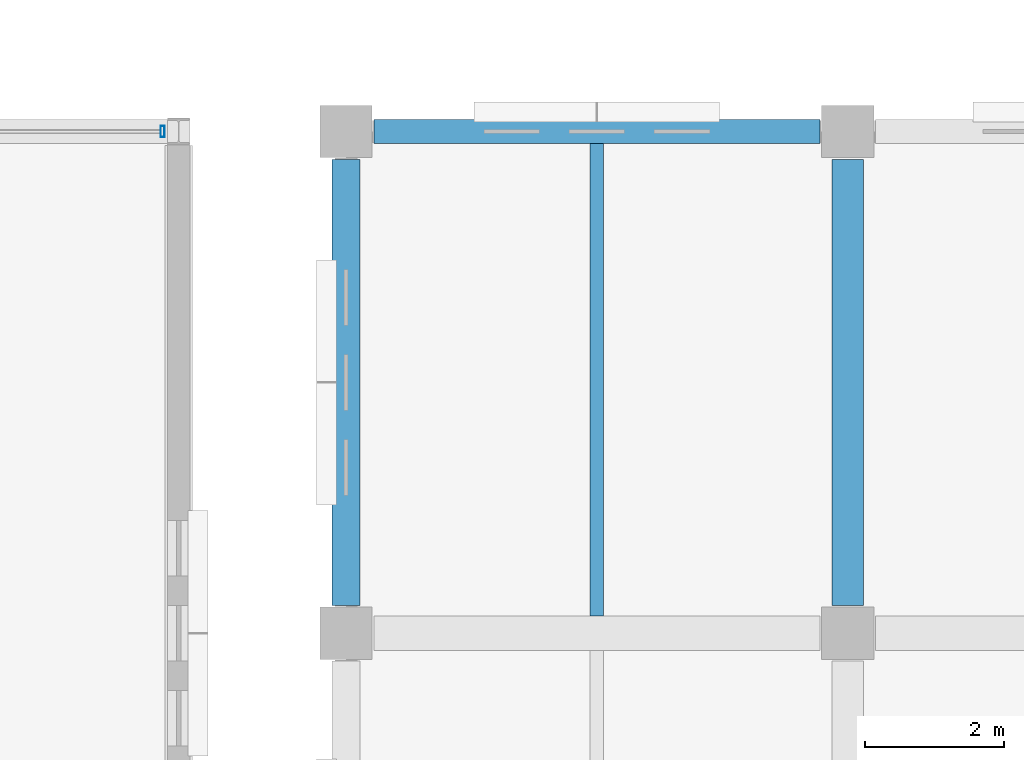
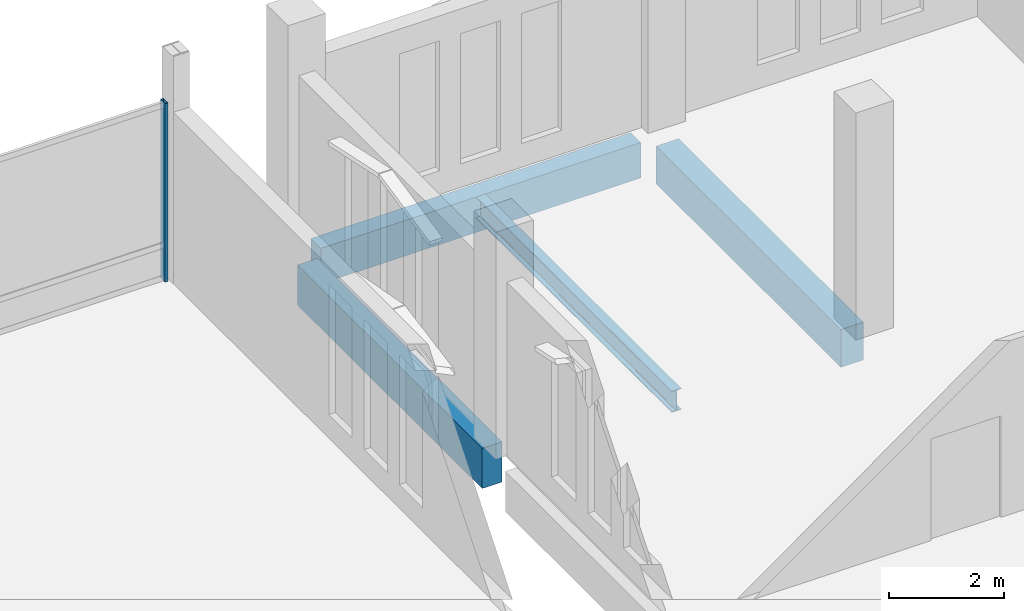
# One storey, part 62 of 193: 4 beams, 1 member, 1 element without a shape of its own.
"""IFC4 building model written with IfcOpenShell, lengths in metres."""

import ifcopenshell
import ifcopenshell.guid

model = None  # the IFC model being written
_history = None  # IfcOwnerHistory: only IFC2X3 demands one
_inside = {}  # id of a spatial element -> (the spatial element, [elements in it])
_under = {}  # id of a project, library or spatial element -> (it, [spatial elements below it])
_declared = {}  # id of a project -> (the project, [libraries it declares])
_typed = {}  # id of a type object -> (the type object, [elements of that type])
_made_of = {}  # id of a material, layer set ... -> (it, [elements and type objects made of it])


def new_model(schema):
    """Start an empty IFC model of exactly this schema.

    Asked for "IFC4X3", IfcOpenShell would pick the latest addendum, in which some entities
    have other attributes; the version numbers below select the first issue.
    IFC2X3 requires an IfcOwnerHistory on every rooted entity: one is made here for all.
    """
    global model, _history
    if schema == "IFC4X3":
        model = ifcopenshell.file(schema_version=(4, 3, 0, 0))
    else:
        model = ifcopenshell.file(schema=schema)
    _inside.clear()
    _under.clear()
    _declared.clear()
    _typed.clear()
    _made_of.clear()
    _history = None
    if model.schema == "IFC2X3":
        org = make("IfcOrganization", Name="unknown")
        user = make(
            "IfcPersonAndOrganization",
            ThePerson=make("IfcPerson", FamilyName="unknown"),
            TheOrganization=org,
        )
        app = make(
            "IfcApplication",
            ApplicationDeveloper=org,
            Version="unknown",
            ApplicationFullName="unknown",
            ApplicationIdentifier="unknown",
        )
        _history = make(
            "IfcOwnerHistory",
            OwningUser=user,
            OwningApplication=app,
            ChangeAction="ADDED",
            CreationDate=0,
        )
    return model


def make(cls, **values):
    """One entity of the class cls with the attributes given. An attribute that is None is left unset."""
    return model.create_entity(
        cls, **{name: value for name, value in values.items() if value is not None}
    )


def rooted(cls, **values):
    """An entity with a GlobalId (a new one), such as an element, a storey or a relation."""
    return make(cls, GlobalId=ifcopenshell.guid.new(), OwnerHistory=_history, **values)


def si_unit(unit_type, name, prefix=None):
    """IfcSIUnit, for example si_unit("LENGTHUNIT", "METRE", prefix="MILLI")."""
    return make("IfcSIUnit", UnitType=unit_type, Prefix=prefix, Name=name)


def assignment(units):
    """IfcUnitAssignment: the units of a project."""
    return None if units is None else make("IfcUnitAssignment", Units=units)


def point(xyz):
    """IfcCartesianPoint."""
    return None if xyz is None else make("IfcCartesianPoint", Coordinates=xyz)


def direction(xyz):
    """IfcDirection."""
    return None if xyz is None else make("IfcDirection", DirectionRatios=xyz)


def frame(location, z_axis=None, x_axis=None):
    """IfcAxis2Placement3D, a coordinate frame: its origin and axes. An axis left out is left unset."""
    return make(
        "IfcAxis2Placement3D",
        Location=point(location),
        Axis=direction(z_axis),
        RefDirection=direction(x_axis),
    )


def frame_2d(location, x_axis=None):
    """IfcAxis2Placement2D, a coordinate frame in the plane: its origin and x axis."""
    return make(
        "IfcAxis2Placement2D", Location=point(location), RefDirection=direction(x_axis)
    )


def origin():
    """The frame at (0, 0, 0) with its axes left unset."""
    return frame((0.0, 0.0, 0.0))


def origin_2d():
    """The frame at (0, 0) in the plane with its x axis left unset."""
    return frame_2d((0.0, 0.0))


def place(relative_to, where):
    """IfcLocalPlacement: puts the frame where relative to a parent placement (None: the world)."""
    return make(
        "IfcLocalPlacement", PlacementRelTo=relative_to, RelativePlacement=where
    )


def context(
    kind, dimensions, precision=None, world=None, true_north=None, identifier=None
):
    """IfcGeometricRepresentationContext, for example the 3D "Model" context."""
    return make(
        "IfcGeometricRepresentationContext",
        ContextIdentifier=identifier,
        ContextType=kind,
        CoordinateSpaceDimension=dimensions,
        Precision=precision,
        WorldCoordinateSystem=world,
        TrueNorth=true_north,
    )


def subcontext(parent, identifier, kind, view, scale=None):
    """IfcGeometricRepresentationSubContext, for example "Body" below "Model"."""
    return make(
        "IfcGeometricRepresentationSubContext",
        ContextIdentifier=identifier,
        ContextType=kind,
        ParentContext=parent,
        TargetScale=scale,
        TargetView=view,
    )


def project(units=None, contexts=None):
    """IfcProject with its units and contexts."""
    return rooted(
        "IfcProject",
        Name="project",
        RepresentationContexts=contexts,
        UnitsInContext=assignment(units),
    )


def spatial(cls, under=None, at=None, **own):
    """A site, building, storey or space (cls), placed at a placement, below another one or the project."""
    s = rooted(cls, ObjectPlacement=at, **own)
    if under is not None:
        _under.setdefault(under.id(), (under, []))[1].append(s)
    return s


def profile(cls, at=None, kind="AREA", **sizes):
    """A parametric profile (cls). Its sizes go by their IFC names, for example OverallWidth=200.0."""
    return make(cls, ProfileType=kind, Position=at, **sizes)


def rectangle(**sizes):
    """IfcRectangleProfileDef."""
    return profile("IfcRectangleProfileDef", **sizes)


def hollow_rectangle(**sizes):
    """IfcRectangleHollowProfileDef."""
    return profile("IfcRectangleHollowProfileDef", **sizes)


def i_section(**sizes):
    """IfcIShapeProfileDef."""
    return profile("IfcIShapeProfileDef", **sizes)


def extrude(swept, where, along, depth):
    """IfcExtrudedAreaSolid: the profile swept, set in the frame where, extruded along a direction by depth."""
    return make(
        "IfcExtrudedAreaSolid",
        SweptArea=swept,
        Position=where,
        ExtrudedDirection=direction(along),
        Depth=depth,
    )


def shape(context_of_items, identifier, shape_type, items):
    """IfcShapeRepresentation: the items that make up one representation, for example the "Body"."""
    return make(
        "IfcShapeRepresentation",
        ContextOfItems=context_of_items,
        RepresentationIdentifier=identifier,
        RepresentationType=shape_type,
        Items=items,
    )


def material(Name=None, Category=None):
    """IfcMaterial."""
    return make("IfcMaterial", Name=Name, Category=Category)


def material_profile(
    of_material, cross_section, Name=None, Category=None, Priority=None
):
    """IfcMaterialProfile: a cross section and its material."""
    return make(
        "IfcMaterialProfile",
        Name=Name,
        Material=of_material,
        Profile=cross_section,
        Priority=Priority,
        Category=Category,
    )


def profile_set(profiles, Name=None, composite=None):
    """IfcMaterialProfileSet."""
    return make(
        "IfcMaterialProfileSet",
        Name=Name,
        MaterialProfiles=profiles,
        CompositeProfile=composite,
    )


def made_of(thing, what):
    """Note that an element or type object is made of a material, layer set ...; save() writes the relation."""
    if what is not None:
        _made_of.setdefault(what.id(), (what, []))[1].append(thing)
    return thing


def type_object(cls, material=None, **own):
    """A type object (cls), such as IfcWallType, which elements share."""
    return made_of(rooted(cls, **own), material)


def element(
    cls,
    number,
    at=None,
    inside=None,
    cuts=None,
    type_object=None,
    material=None,
    context=None,
    identifier="Body",
    shape_type=None,
    held_by="IfcProductDefinitionShape",
    body=None,
    shapes=None,
    **own,
):
    """One element of the class cls, such as IfcWall. Its Tag is "e" and its number.

    at: its placement. inside: the storey or other place that contains it. cuts: it is an
    opening in that element (IfcRelVoidsElement). A single representation is given by context,
    identifier, shape_type and body (its items); several are given by shapes. held_by: the class
    of the entity that holds the representations. save() writes the other relations.
    """
    e = rooted(cls, Tag="e%d" % number, ObjectPlacement=at, **own)
    if body is not None:
        shapes = [shape(context, identifier, shape_type, body)]
    if shapes is not None:
        e.Representation = make(held_by, Representations=shapes)
    if inside is not None:
        _inside.setdefault(inside.id(), (inside, []))[1].append(e)
    if cuts is not None:
        rooted(
            "IfcRelVoidsElement", RelatingBuildingElement=cuts, RelatedOpeningElement=e
        )
    if type_object is not None:
        _typed.setdefault(type_object.id(), (type_object, []))[1].append(e)
    return made_of(e, material)


def aggregate(whole, parts):
    """IfcRelAggregates: a whole, such as a stair, and the parts it consists of."""
    return rooted("IfcRelAggregates", RelatingObject=whole, RelatedObjects=parts)


def save(model, path):
    """Write the relations noted so far, then the file.

    IfcRelAggregates (storeys below a building ...), IfcRelContainedInSpatialStructure (elements
    in a storey), IfcRelDefinesByType, IfcRelAssociatesMaterial and IfcRelDeclares: one each for
    every whole, place, type object, material and project.
    """
    for whole, parts in _under.values():
        aggregate(whole, parts)
    for where, things in _inside.values():
        rooted(
            "IfcRelContainedInSpatialStructure",
            RelatedElements=things,
            RelatingStructure=where,
        )
    for kind, things in _typed.values():
        rooted("IfcRelDefinesByType", RelatedObjects=things, RelatingType=kind)
    for what, things in _made_of.values():
        rooted("IfcRelAssociatesMaterial", RelatedObjects=things, RelatingMaterial=what)
    for by, libraries in _declared.values():
        rooted("IfcRelDeclares", RelatingContext=by, RelatedDefinitions=libraries)
    model.write(path)


model = new_model("IFC4")

# Units and contexts
model_context = context("Model", 3, precision=1e-05, world=origin(), true_north=direction((0.0, 1.0)))
body_context = subcontext(model_context, "Body", "Model", "MODEL_VIEW")
ifc_project = project(units=[si_unit("LENGTHUNIT", "METRE"), si_unit("AREAUNIT", "SQUARE_METRE"), si_unit("VOLUMEUNIT", "CUBIC_METRE"), si_unit("PLANEANGLEUNIT", "RADIAN"), si_unit("MASSUNIT", "GRAM", prefix="KILO")], contexts=[model_context])

# Site, building, storey
site_placement = place(None, origin())
site = spatial("IfcSite", under=ifc_project, at=site_placement, CompositionType="ELEMENT")
building_placement = place(site_placement, origin())
building = spatial("IfcBuilding", under=site, at=building_placement, Name="Cendralis Lancet Convention Centre", CompositionType="ELEMENT")
storey_placement = place(building_placement, frame((0.0, 0.0, 10.199951171875)))
storey = spatial("IfcBuildingStorey", under=building, at=storey_placement, Name="L02", CompositionType="ELEMENT", Elevation=10.199951171875)

# Curtain wall, member
ifc_material_1 = material(Name="Anodised bronze architectural aluminium", Category="aluminium")
curtain_wall_type = type_object("IfcCurtainWallType", Name="ARC-CW-CL02", PredefinedType="USERDEFINED", material=ifc_material_1)
curtain_wall_placement = place(storey_placement, origin())
curtain_wall = element("IfcCurtainWall", 1, at=curtain_wall_placement, inside=storey, type_object=curtain_wall_type, Name="L02 Curtain Wall CW-CL2 #174", ObjectType="CURTAIN WALL", PredefinedType="USERDEFINED")
ifc_material_profile_1 = material_profile(ifc_material_1, hollow_rectangle(XDim=0.06005859375, YDim=0.159912109375, WallThickness=0.00390625, at=origin_2d()), Name="AL-MULL 60x160x4.0")
ifc_profile_set_1 = profile_set([ifc_material_profile_1], Name="Anodised bronze architectural aluminium")
member_type = type_object("IfcMemberType", Name="ARC-CW-ML01", PredefinedType="MULLION", material=ifc_profile_set_1)
member_placement = place(storey_placement, frame((129.3701171875, 36.0, 0.0), z_axis=(0.0, 0.0, 1.0), x_axis=(1.0, 0.0, 0.0)))
member = element("IfcMember", 2, at=member_placement, type_object=member_type, Name="Mullion CW2-CW-CL2-L02-174-M2", PredefinedType="MULLION", context=body_context, shape_type="SweptSolid", body=[
    extrude(hollow_rectangle(XDim=0.06005859375, YDim=0.159912109375, WallThickness=0.00390625, at=origin_2d()), origin(), (0.0, 0.0, 1.0), 3.775146484375),
])
aggregate(curtain_wall, [member])

# Beams
ifc_material_2 = material(Name="Concrete G35 (C35/45)", Category="concrete")
ifc_material_profile_2 = material_profile(ifc_material_2, rectangle(XDim=0.449951171875, YDim=0.800048828125, at=origin_2d()), Name="RCB 450x800")
ifc_profile_set_2 = profile_set([ifc_material_profile_2], Name="Concrete G35 (C35/45)")
beam_type_1 = type_object("IfcBeamType", Name="STR-BM-BG10", PredefinedType="BEAM", material=ifc_profile_set_2)
beam_1_placement = place(storey_placement, frame((139.199951171875, 29.199951171875, -0.699951171875), z_axis=(0.0, 1.0, 0.0), x_axis=(-1.0, 0.0, 0.0)))
element("IfcBeam", 3, at=beam_1_placement, inside=storey, type_object=beam_type_1, Name="L02 Beam BG10 #0310", PredefinedType="BEAM", context=body_context, shape_type="SweptSolid", body=[
    extrude(rectangle(XDim=0.449951171875, YDim=0.800048828125, at=origin_2d()), origin(), (0.0, 0.0, 1.0), 6.400146484375),
])
ifc_material_3 = material(Name="Steel S355", Category="steel")
ifc_material_profile_3 = material_profile(ifc_material_3, i_section(OverallWidth=0.18994140625, OverallDepth=0.449951171875, WebThickness=0.009521484375, FlangeThickness=0.0146484375, FilletRadius=0.02099609375, at=origin_2d()), Name="IPE 450")
ifc_profile_set_3 = profile_set([ifc_material_profile_3], Name="Steel S355")
beam_type_2 = type_object("IfcBeamType", Name="STR-JS-BJ07", PredefinedType="JOIST", material=ifc_profile_set_3)
beam_2_placement = place(storey_placement, frame((135.60009765625, 29.050048828125, -0.52490234375), z_axis=(0.0, 1.0, 0.0), x_axis=(-1.0, 0.0, 0.0)))
element("IfcBeam", 4, at=beam_2_placement, inside=storey, type_object=beam_type_2, Name="L02 Beam BJ07 #0348", PredefinedType="JOIST", context=body_context, shape_type="SweptSolid", body=[
    extrude(i_section(OverallWidth=0.18994140625, OverallDepth=0.449951171875, WebThickness=0.009521484375, FlangeThickness=0.0146484375, FilletRadius=0.02099609375, at=origin_2d()), origin(), (0.0, 0.0, 1.0), 6.77490234375),
])
ifc_material_4 = material(Name="Concrete G40 (C40/50)", Category="concrete")
ifc_material_profile_4 = material_profile(ifc_material_4, rectangle(XDim=0.35009765625, YDim=0.75, at=origin_2d()), Name="RCB 350x750")
ifc_profile_set_4 = profile_set([ifc_material_profile_4], Name="Concrete G40 (C40/50)")
beam_type_3 = type_object("IfcBeamType", Name="STR-SP-SP01", PredefinedType="SPANDREL", material=ifc_profile_set_4)
beam_3_placement = place(storey_placement, frame((132.39990234375, 36.0, -0.675048828125), z_axis=(1.0, 0.0, 0.0), x_axis=(0.0, 1.0, 0.0)))
element("IfcBeam", 5, at=beam_3_placement, inside=storey, type_object=beam_type_3, Name="L02 Beam SP01 #0293", PredefinedType="SPANDREL", context=body_context, shape_type="SweptSolid", body=[
    extrude(rectangle(XDim=0.35009765625, YDim=0.75, at=origin_2d()), origin(), (0.0, 0.0, 1.0), 6.400146484375),
])
ifc_material_profile_5 = material_profile(ifc_material_4, rectangle(XDim=0.39990234375, YDim=0.85009765625, at=origin_2d()), Name="RCB 400x850")
ifc_profile_set_5 = profile_set([ifc_material_profile_5], Name="Concrete G40 (C40/50)")
beam_type_4 = type_object("IfcBeamType", Name="STR-SP-SP02", PredefinedType="SPANDREL", material=ifc_profile_set_5)
beam_4_placement = place(storey_placement, frame((132.0, 29.199951171875, -0.724853515625), z_axis=(0.0, 1.0, 0.0), x_axis=(-1.0, 0.0, 0.0)))
element("IfcBeam", 6, at=beam_4_placement, inside=storey, type_object=beam_type_4, Name="L02 Beam SP02 #0306", PredefinedType="SPANDREL", context=body_context, shape_type="SweptSolid", body=[
    extrude(rectangle(XDim=0.39990234375, YDim=0.85009765625, at=origin_2d()), origin(), (0.0, 0.0, 1.0), 6.400146484375),
])

save(model, "model.ifc")
